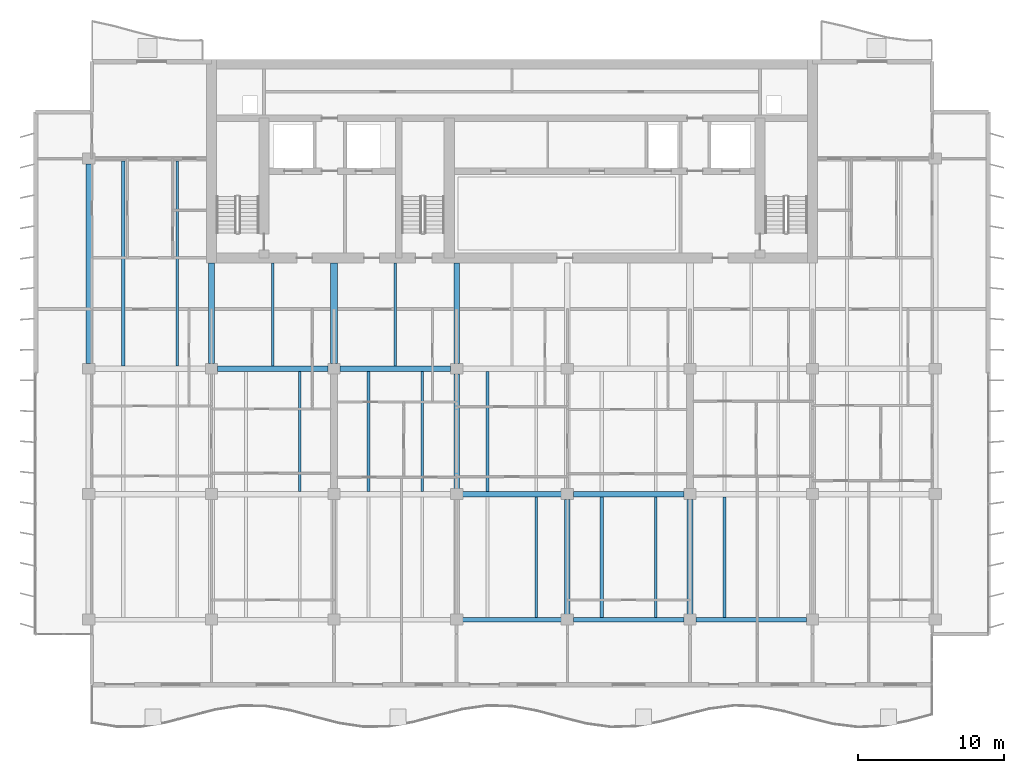
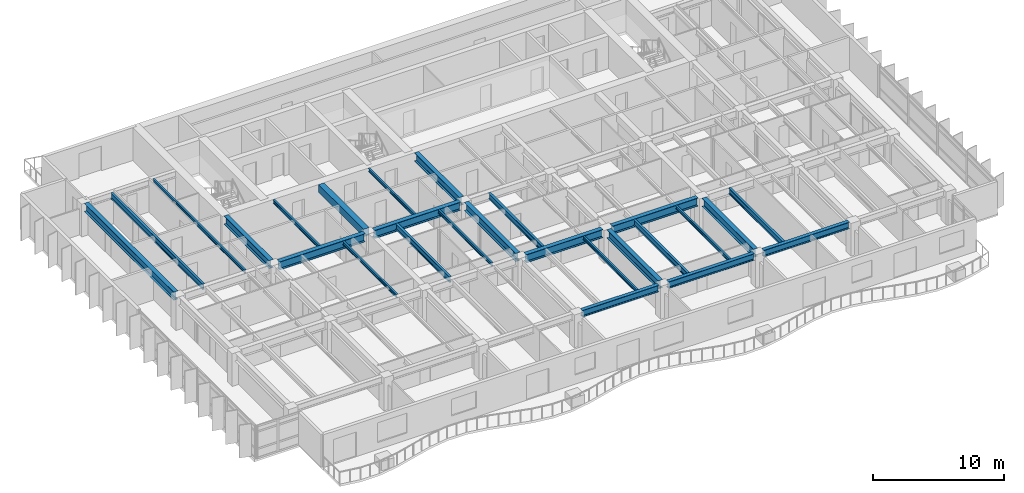
# One storey, part 3 of 19: 26 beams.
"""IFC4 building model written with IfcOpenShell, lengths in metres."""

from ifc_helpers import new_model, si_unit, direction, frame, origin, origin_2d, place, context, subcontext, project, spatial, rectangle, i_section, extrude, material, material_profile, profile_set, type_object, element, save


model = new_model("IFC4")

# Units and contexts
model_context = context("Model", 3, precision=1e-05, world=origin(), true_north=direction((0.0, 1.0)))
body_context = subcontext(model_context, "Body", "Model", "MODEL_VIEW")
ifc_project = project(units=[si_unit("LENGTHUNIT", "METRE"), si_unit("AREAUNIT", "SQUARE_METRE"), si_unit("VOLUMEUNIT", "CUBIC_METRE"), si_unit("PLANEANGLEUNIT", "RADIAN"), si_unit("MASSUNIT", "GRAM", prefix="KILO")], contexts=[model_context])

# Site, building, storey
site_placement = place(None, origin())
site = spatial("IfcSite", under=ifc_project, at=site_placement, CompositionType="ELEMENT")
building_placement = place(site_placement, origin())
building = spatial("IfcBuilding", under=site, at=building_placement, Name="Caelmar Bay Residences", CompositionType="ELEMENT")
storey_placement = place(building_placement, frame((0.0, 0.0, 195.0)))
storey = spatial("IfcBuildingStorey", under=building, at=storey_placement, Name="L54", CompositionType="ELEMENT", Elevation=195.0)

# Beams
ifc_material_1 = material(Name="Steel ASTM A992 Grade 50", Category="steel")
ifc_material_profile_1 = material_profile(ifc_material_1, i_section(OverallWidth=0.381103515625, OverallDepth=0.77197265625, WebThickness=0.0166015625, FlangeThickness=0.027099609375, FilletRadius=0.0166015625, at=origin_2d()), Name="W30X173")
ifc_profile_set_1 = profile_set([ifc_material_profile_1], Name="Steel ASTM A992 Grade 50")
beam_type_1 = type_object("IfcBeamType", Name="BM-GRD-W30X173", PredefinedType="BEAM", material=ifc_profile_set_1)
beam_1_placement = place(storey_placement, frame((35.514892578125, 20.800048828125, 2.6640625), z_axis=(1.0, 0.0, 0.0), x_axis=(0.0, 1.0, 0.0)))
element("IfcBeam", 1, at=beam_1_placement, inside=storey, type_object=beam_type_1, Name="L54 East-West Girder Y=20.80 (35.1-42.7)", PredefinedType="BEAM", context=body_context, shape_type="SweptSolid", body=[
    extrude(i_section(OverallWidth=0.381103515625, OverallDepth=0.77197265625, WebThickness=0.0166015625, FlangeThickness=0.027099609375, FilletRadius=0.0166015625, at=origin_2d()), origin(), (0.0, 0.0, 1.0), 6.77001953125),
])
beam_2_placement = place(storey_placement, frame((43.114990234375, 20.800048828125, 2.6640625), z_axis=(1.0, 0.0, 0.0), x_axis=(0.0, 1.0, 0.0)))
element("IfcBeam", 2, at=beam_2_placement, inside=storey, type_object=beam_type_1, Name="L54 East-West Girder Y=20.80 (42.7-51.1)", PredefinedType="BEAM", context=body_context, shape_type="SweptSolid", body=[
    extrude(i_section(OverallWidth=0.381103515625, OverallDepth=0.77197265625, WebThickness=0.0166015625, FlangeThickness=0.027099609375, FilletRadius=0.0166015625, at=origin_2d()), origin(), (0.0, 0.0, 1.0), 7.570068359375),
])
beam_3_placement = place(storey_placement, frame((18.715087890625, 29.39990234375, 2.6640625), z_axis=(1.0, 0.0, 0.0), x_axis=(0.0, 1.0, 0.0)))
element("IfcBeam", 3, at=beam_3_placement, inside=storey, type_object=beam_type_1, Name="L54 East-West Girder Y=29.40 (18.3-26.7)", PredefinedType="BEAM", context=body_context, shape_type="SweptSolid", body=[
    extrude(i_section(OverallWidth=0.381103515625, OverallDepth=0.77197265625, WebThickness=0.0166015625, FlangeThickness=0.027099609375, FilletRadius=0.0166015625, at=origin_2d()), origin(), (0.0, 0.0, 1.0), 7.56982421875),
])
beam_4_placement = place(storey_placement, frame((27.114990234375, 29.39990234375, 2.6640625), z_axis=(1.0, 0.0, 0.0), x_axis=(0.0, 1.0, 0.0)))
element("IfcBeam", 4, at=beam_4_placement, inside=storey, type_object=beam_type_1, Name="L54 East-West Girder Y=29.40 (26.7-35.1)", PredefinedType="BEAM", context=body_context, shape_type="SweptSolid", body=[
    extrude(i_section(OverallWidth=0.381103515625, OverallDepth=0.77197265625, WebThickness=0.0166015625, FlangeThickness=0.027099609375, FilletRadius=0.0166015625, at=origin_2d()), origin(), (0.0, 0.0, 1.0), 7.570068359375),
])
beam_5_placement = place(storey_placement, frame((9.89990234375, 29.764892578125, 2.6640625), z_axis=(0.0, 1.0, 0.0), x_axis=(-1.0, 0.0, 0.0)))
element("IfcBeam", 5, at=beam_5_placement, inside=storey, type_object=beam_type_1, Name="L54 North-South Girder X=9.90 (29.4-43.8)", PredefinedType="BEAM", context=body_context, shape_type="SweptSolid", body=[
    extrude(i_section(OverallWidth=0.381103515625, OverallDepth=0.77197265625, WebThickness=0.0166015625, FlangeThickness=0.027099609375, FilletRadius=0.0166015625, at=origin_2d()), origin(), (0.0, 0.0, 1.0), 13.670166015625),
])
for number, where, z_axis, x_axis, name in (
    (6, (18.300048828125, 29.764892578125, 2.6640625), (0.0, 1.0, 0.0), (-1.0, 0.0, 0.0), "L54 Core Tie Girder X=18.30"),
    (7, (35.10009765625, 29.764892578125, 2.6640625), (0.0, 1.0, 0.0), (-1.0, 0.0, 0.0), "L54 Core Tie Girder X=35.10"),
):
    element("IfcBeam", number, at=place(storey_placement, frame(where, z_axis=z_axis, x_axis=x_axis)), inside=storey, type_object=beam_type_1, Name=name, PredefinedType="BEAM", context=body_context, shape_type="SweptSolid", body=[
        extrude(i_section(OverallWidth=0.381103515625, OverallDepth=0.77197265625, WebThickness=0.0166015625, FlangeThickness=0.027099609375, FilletRadius=0.0166015625, at=origin_2d()), origin(), (0.0, 0.0, 1.0), 6.885009765625),
    ])
beam_6_placement = place(storey_placement, frame((35.10009765625, 21.1650390625, 2.6640625), z_axis=(0.0, 1.0, 0.0), x_axis=(-1.0, 0.0, 0.0)))
element("IfcBeam", 8, at=beam_6_placement, inside=storey, type_object=beam_type_1, Name="L54 North-South Girder X=35.10 (20.8-29.4)", PredefinedType="BEAM", context=body_context, shape_type="SweptSolid", body=[
    extrude(i_section(OverallWidth=0.381103515625, OverallDepth=0.77197265625, WebThickness=0.0166015625, FlangeThickness=0.027099609375, FilletRadius=0.0166015625, at=origin_2d()), origin(), (0.0, 0.0, 1.0), 7.869873046875),
])
for number, where, z_axis, x_axis, name in (
    (9, (42.699951171875, 12.56494140625, 2.6640625), (0.0, 1.0, 0.0), (-1.0, 0.0, 0.0), "L54 North-South Girder X=42.70 (12.2-20.8)"),
    (10, (51.10009765625, 12.56494140625, 2.6640625), (0.0, 1.0, 0.0), (-1.0, 0.0, 0.0), "L54 North-South Girder X=51.10 (12.2-20.8)"),
):
    element("IfcBeam", number, at=place(storey_placement, frame(where, z_axis=z_axis, x_axis=x_axis)), inside=storey, type_object=beam_type_1, Name=name, PredefinedType="BEAM", context=body_context, shape_type="SweptSolid", body=[
        extrude(i_section(OverallWidth=0.381103515625, OverallDepth=0.77197265625, WebThickness=0.0166015625, FlangeThickness=0.027099609375, FilletRadius=0.0166015625, at=origin_2d()), origin(), (0.0, 0.0, 1.0), 7.8701171875),
    ])
ifc_material_profile_2 = material_profile(ifc_material_1, i_section(OverallWidth=0.1650390625, OverallDepth=0.31005859375, WebThickness=0.005859375, FlangeThickness=0.009765625, FilletRadius=0.007568359375, at=origin_2d()), Name="W12X26")
ifc_profile_set_2 = profile_set([ifc_material_profile_2], Name="Steel ASTM A992 Grade 50")
beam_type_2 = type_object("IfcBeamType", Name="BM-JST-W12X26", PredefinedType="JOIST", material=ifc_profile_set_2)
for number, where, z_axis, x_axis, name in (
    (11, (40.572021484375, 12.362548828125, 2.89501953125), (0.0, 1.0, 0.0), (-1.0, 0.0, 0.0), "L54 Composite Floor Joist 8"),
    (12, (48.748046875, 12.362548828125, 2.89501953125), (0.0, 1.0, 0.0), (-1.0, 0.0, 0.0), "L54 Composite Floor Joist 10"),
):
    element("IfcBeam", number, at=place(storey_placement, frame(where, z_axis=z_axis, x_axis=x_axis)), inside=storey, type_object=beam_type_2, Name=name, PredefinedType="JOIST", context=body_context, shape_type="SweptSolid", body=[
        extrude(i_section(OverallWidth=0.1650390625, OverallDepth=0.31005859375, WebThickness=0.005859375, FlangeThickness=0.009765625, FilletRadius=0.007568359375, at=origin_2d()), origin(), (0.0, 0.0, 1.0), 8.2470703125),
    ])
for number, where, z_axis, x_axis, name in (
    (13, (24.347900390625, 20.990478515625, 2.89501953125), (0.0, 1.0, 0.0), (-1.0, 0.0, 0.0), "L54 Composite Floor Joist 18"),
    (14, (32.748046875, 20.990478515625, 2.89501953125), (0.0, 1.0, 0.0), (-1.0, 0.0, 0.0), "L54 Composite Floor Joist 20"),
):
    element("IfcBeam", number, at=place(storey_placement, frame(where, z_axis=z_axis, x_axis=x_axis)), inside=storey, type_object=beam_type_2, Name=name, PredefinedType="JOIST", context=body_context, shape_type="SweptSolid", body=[
        extrude(i_section(OverallWidth=0.1650390625, OverallDepth=0.31005859375, WebThickness=0.005859375, FlangeThickness=0.009765625, FilletRadius=0.007568359375, at=origin_2d()), origin(), (0.0, 0.0, 1.0), 8.218994140625),
    ])
for number, where, z_axis, x_axis, name in (
    (15, (22.5, 29.590576171875, 2.89501953125), (0.0, 1.0, 0.0), (-1.0, 0.0, 0.0), "L54 Core-Band Composite Joist 29"),
    (16, (30.89990234375, 29.590576171875, 2.89501953125), (0.0, 1.0, 0.0), (-1.0, 0.0, 0.0), "L54 Core-Band Composite Joist 30"),
):
    element("IfcBeam", number, at=place(storey_placement, frame(where, z_axis=z_axis, x_axis=x_axis)), inside=storey, type_object=beam_type_2, Name=name, PredefinedType="JOIST", context=body_context, shape_type="SweptSolid", body=[
        extrude(i_section(OverallWidth=0.1650390625, OverallDepth=0.31005859375, WebThickness=0.005859375, FlangeThickness=0.009765625, FilletRadius=0.007568359375, at=origin_2d()), origin(), (0.0, 0.0, 1.0), 7.059326171875),
    ])
beam_7_placement = place(storey_placement, frame((15.947998046875, 29.590576171875, 2.89501953125), z_axis=(0.0, 1.0, 0.0), x_axis=(-1.0, 0.0, 0.0)))
element("IfcBeam", 17, at=beam_7_placement, inside=storey, type_object=beam_type_2, Name="L54 Composite Floor Joist 35", PredefinedType="JOIST", context=body_context, shape_type="SweptSolid", body=[
    extrude(i_section(OverallWidth=0.1650390625, OverallDepth=0.31005859375, WebThickness=0.005859375, FlangeThickness=0.009765625, FilletRadius=0.007568359375, at=origin_2d()), origin(), (0.0, 0.0, 1.0), 14.046875),
])
ifc_material_profile_3 = material_profile(ifc_material_1, i_section(OverallWidth=0.2099609375, OverallDepth=0.535888671875, WebThickness=0.010986328125, FlangeThickness=0.017333984375, FilletRadius=0.0126953125, at=origin_2d()), Name="W21X68")
ifc_profile_set_3 = profile_set([ifc_material_profile_3], Name="Steel ASTM A992 Grade 50")
beam_type_3 = type_object("IfcBeamType", Name="BM-JST-W21X68", PredefinedType="JOIST", material=ifc_profile_set_3)
for number, where, z_axis, x_axis, name in (
    (18, (45.052001953125, 12.362548828125, 2.781982421875), (0.0, 1.0, 0.0), (-1.0, 0.0, 0.0), "L54 Composite Floor Joist 9"),
    (19, (53.451904296875, 12.362548828125, 2.781982421875), (0.0, 1.0, 0.0), (-1.0, 0.0, 0.0), "L54 Composite Floor Joist 11"),
):
    element("IfcBeam", number, at=place(storey_placement, frame(where, z_axis=z_axis, x_axis=x_axis)), inside=storey, type_object=beam_type_3, Name=name, PredefinedType="JOIST", context=body_context, shape_type="SweptSolid", body=[
        extrude(i_section(OverallWidth=0.2099609375, OverallDepth=0.535888671875, WebThickness=0.010986328125, FlangeThickness=0.017333984375, FilletRadius=0.0126953125, at=origin_2d()), origin(), (0.0, 0.0, 1.0), 8.2470703125),
    ])
for number, where, z_axis, x_axis, name in (
    (20, (29.052001953125, 20.990478515625, 2.781982421875), (0.0, 1.0, 0.0), (-1.0, 0.0, 0.0), "L54 Composite Floor Joist 19"),
    (21, (37.22802734375, 20.990478515625, 2.781982421875), (0.0, 1.0, 0.0), (-1.0, 0.0, 0.0), "L54 Composite Floor Joist 21"),
):
    element("IfcBeam", number, at=place(storey_placement, frame(where, z_axis=z_axis, x_axis=x_axis)), inside=storey, type_object=beam_type_3, Name=name, PredefinedType="JOIST", context=body_context, shape_type="SweptSolid", body=[
        extrude(i_section(OverallWidth=0.2099609375, OverallDepth=0.535888671875, WebThickness=0.010986328125, FlangeThickness=0.017333984375, FilletRadius=0.0126953125, at=origin_2d()), origin(), (0.0, 0.0, 1.0), 8.218994140625),
    ])
beam_8_placement = place(storey_placement, frame((12.251953125, 29.590576171875, 2.781982421875), z_axis=(0.0, 1.0, 0.0), x_axis=(-1.0, 0.0, 0.0)))
element("IfcBeam", 22, at=beam_8_placement, inside=storey, type_object=beam_type_3, Name="L54 Composite Floor Joist 34", PredefinedType="JOIST", context=body_context, shape_type="SweptSolid", body=[
    extrude(i_section(OverallWidth=0.2099609375, OverallDepth=0.535888671875, WebThickness=0.010986328125, FlangeThickness=0.017333984375, FilletRadius=0.0126953125, at=origin_2d()), origin(), (0.0, 0.0, 1.0), 14.046875),
])
ifc_material_2 = material(Name="Concrete f'c 55 MPa (8,000 psi)", Category="concrete")
ifc_material_profile_4 = material_profile(ifc_material_2, rectangle(XDim=0.5, YDim=0.699951171875, at=origin_2d()), Name="RC-BM-500X700")
ifc_profile_set_4 = profile_set([ifc_material_profile_4], Name="Concrete f'c 55 MPa (8,000 psi)")
beam_type_4 = type_object("IfcBeamType", Name="BM-RC-500X700", PredefinedType="LINTEL", material=ifc_profile_set_4)
beam_9_placement = place(storey_placement, frame((26.699951171875, 29.764892578125, 2.699951171875), z_axis=(0.0, 1.0, 0.0), x_axis=(-1.0, 0.0, 0.0)))
element("IfcBeam", 23, at=beam_9_placement, inside=storey, type_object=beam_type_4, Name="L54 Shear-Wall Corridor Coupling Lintel W5", PredefinedType="LINTEL", context=body_context, shape_type="SweptSolid", body=[
    extrude(rectangle(XDim=0.5, YDim=0.699951171875, at=origin_2d()), origin(), (0.0, 0.0, 1.0), 6.885009765625),
])
ifc_material_profile_5 = material_profile(ifc_material_1, i_section(OverallWidth=0.324951171875, OverallDepth=0.616943359375, WebThickness=0.013916015625, FlangeThickness=0.021484375, FilletRadius=0.0126953125, at=origin_2d()), Name="W24X117")
ifc_profile_set_5 = profile_set([ifc_material_profile_5], Name="Steel ASTM A992 Grade 50")
beam_type_5 = type_object("IfcBeamType", Name="BM-SPN-W24X117", PredefinedType="SPANDREL", material=ifc_profile_set_5)
beam_10_placement = place(storey_placement, frame((35.514892578125, 12.199951171875, 2.741455078125), z_axis=(1.0, 0.0, 0.0), x_axis=(0.0, 1.0, 0.0)))
element("IfcBeam", 24, at=beam_10_placement, inside=storey, type_object=beam_type_5, Name="L54 East-West Girder Y=12.20 (35.1-42.7)", PredefinedType="SPANDREL", context=body_context, shape_type="SweptSolid", body=[
    extrude(i_section(OverallWidth=0.324951171875, OverallDepth=0.616943359375, WebThickness=0.013916015625, FlangeThickness=0.021484375, FilletRadius=0.0126953125, at=origin_2d()), origin(), (0.0, 0.0, 1.0), 6.77001953125),
])
for number, where, z_axis, x_axis, name in (
    (25, (43.114990234375, 12.199951171875, 2.741455078125), (1.0, 0.0, 0.0), (0.0, 1.0, 0.0), "L54 East-West Girder Y=12.20 (42.7-51.1)"),
    (26, (51.514892578125, 12.199951171875, 2.741455078125), (1.0, 0.0, 0.0), (0.0, 1.0, 0.0), "L54 East-West Girder Y=12.20 (51.1-59.5)"),
):
    element("IfcBeam", number, at=place(storey_placement, frame(where, z_axis=z_axis, x_axis=x_axis)), inside=storey, type_object=beam_type_5, Name=name, PredefinedType="SPANDREL", context=body_context, shape_type="SweptSolid", body=[
        extrude(i_section(OverallWidth=0.324951171875, OverallDepth=0.616943359375, WebThickness=0.013916015625, FlangeThickness=0.021484375, FilletRadius=0.0126953125, at=origin_2d()), origin(), (0.0, 0.0, 1.0), 7.570068359375),
    ])

save(model, "model.ifc")
